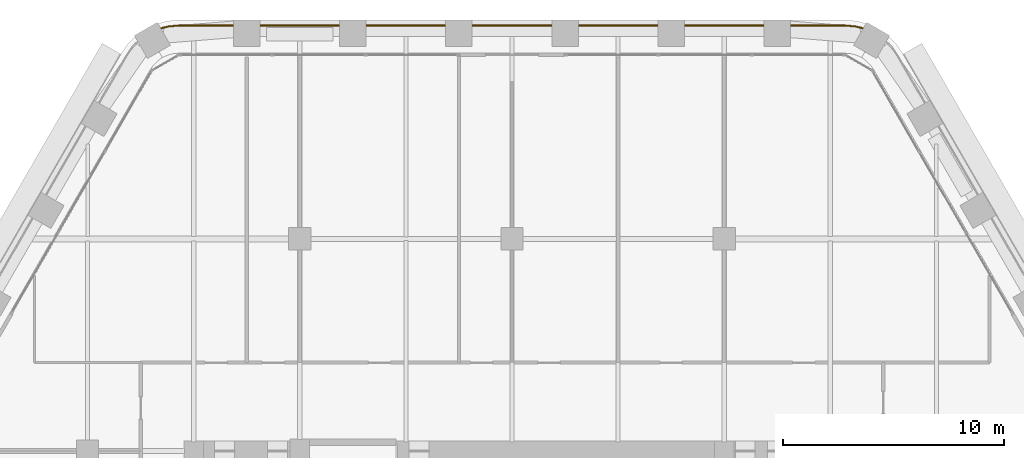
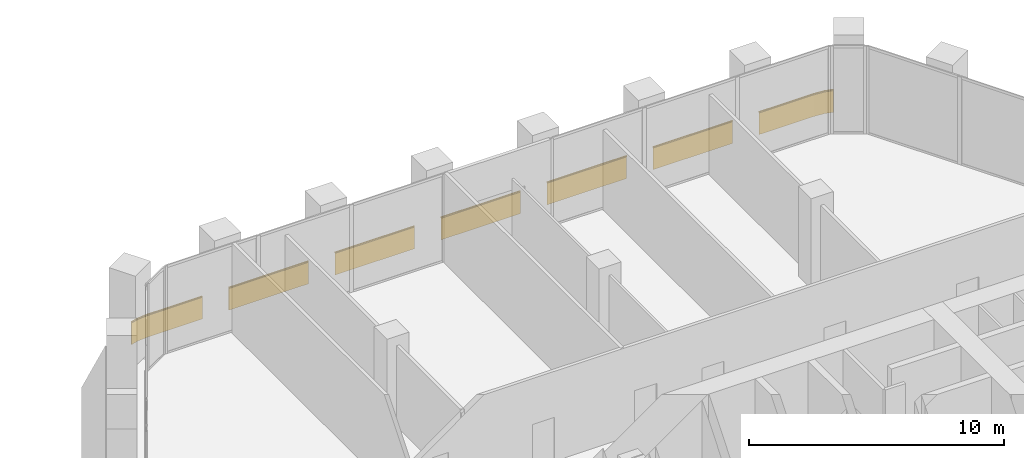
# One storey, part 26 of 26: 1 railing.
"""IFC4 building model written with IfcOpenShell, lengths in metres."""

from ifc_helpers import new_model, si_unit, direction, frame, frame_2d, origin, origin_2d, place, context, subcontext, project, spatial, rectangle, extrude, material, type_object, element, save


model = new_model("IFC4")

# Units and contexts
model_context = context("Model", 3, precision=1e-05, world=origin(), true_north=direction((0.0, 1.0)))
body_context = subcontext(model_context, "Body", "Model", "MODEL_VIEW")
ifc_project = project(units=[si_unit("LENGTHUNIT", "METRE"), si_unit("AREAUNIT", "SQUARE_METRE"), si_unit("VOLUMEUNIT", "CUBIC_METRE"), si_unit("PLANEANGLEUNIT", "RADIAN"), si_unit("MASSUNIT", "GRAM", prefix="KILO")], contexts=[model_context])

# Site, building, storey
site_placement = place(None, origin())
site = spatial("IfcSite", under=ifc_project, at=site_placement, CompositionType="ELEMENT")
building_placement = place(site_placement, origin())
building = spatial("IfcBuilding", under=site, at=building_placement, Name="Kolab Exchange Tower", CompositionType="ELEMENT")
storey_placement = place(building_placement, frame((0.0, 0.0, 104.89990234375)))
storey = spatial("IfcBuildingStorey", under=building, at=storey_placement, Name="L20", CompositionType="ELEMENT", Elevation=104.89990234375)

# Railing
ifc_material = material(Name="Steel S235", Category="steel")
railing_type = type_object("IfcRailingType", Name="GUARD 1100 GLASS BALUSTRADE AND STEEL TOP RAIL", PredefinedType="GUARDRAIL", material=ifc_material)
railing_placement = place(storey_placement, frame((15.89208984375, 28.7138671875, 0.0)))
element("IfcRailing", 1, at=railing_placement, inside=storey, type_object=railing_type, Name="Guard", PredefinedType="GUARDRAIL", context=body_context, shape_type="SweptSolid", body=[
    extrude(rectangle(XDim=0.05, YDim=0.05, at=origin_2d()), frame((0.0, 0.0, 1.0751953125), z_axis=(-0.966008746817, 0.258509382951, 0.0), x_axis=(-0.258509382951, -0.966008746817, 0.0)), (0.0, 0.0, 1.0), 0.35888671875),
    extrude(rectangle(XDim=0.012, YDim=1.05009765625, at=frame_2d((0.0, 0.525146484375))), frame((0.0, 0.0, 0.0), z_axis=(-0.966008746817, 0.258509382951, 0.0), x_axis=(-0.258509382951, -0.966008746817, 0.0)), (0.0, 0.0, 1.0), 0.35888671875),
    extrude(rectangle(XDim=0.05, YDim=0.05, at=origin_2d()), frame((-0.3466796875, 0.0927734375, 1.0751953125), z_axis=(-0.996200348447, 0.087091134757, 0.0), x_axis=(-0.087091134757, -0.996200348447, 0.0)), (0.0, 0.0, 1.0), 0.479248046875),
    extrude(rectangle(XDim=0.012, YDim=1.05009765625, at=frame_2d((0.0, 0.525146484375))), frame((-0.3466796875, 0.0927734375, 0.0), z_axis=(-0.996200348447, 0.087091134757, 0.0), x_axis=(-0.087091134757, -0.996200348447, 0.0)), (0.0, 0.0, 1.0), 0.479248046875),
    extrude(rectangle(XDim=0.05, YDim=0.05, at=origin_2d()), frame((-0.82421875, 0.134521484375, 1.0751953125), z_axis=(-1.0, 0.0, 0.0), x_axis=(0.0, -1.0, 0.0)), (0.0, 0.0, 1.0), 2.4677734375),
    extrude(rectangle(XDim=0.012, YDim=1.05009765625, at=frame_2d((0.0, 0.525146484375))), frame((-0.82421875, 0.134521484375, 0.0), z_axis=(-1.0, 0.0, 0.0), x_axis=(0.0, -1.0, 0.0)), (0.0, 0.0, 1.0), 2.4677734375),
    extrude(rectangle(XDim=0.05, YDim=0.05, at=origin_2d()), frame((-4.4921875, 0.134521484375, 1.0751953125), z_axis=(-1.0, 0.0, 0.0), x_axis=(0.0, -1.0, 0.0)), (0.0, 0.0, 1.0), 3.599853515625),
    extrude(rectangle(XDim=0.012, YDim=1.05009765625, at=frame_2d((0.0, 0.525146484375))), frame((-4.4921875, 0.134521484375, 0.0), z_axis=(-1.0, 0.0, 0.0), x_axis=(0.0, -1.0, 0.0)), (0.0, 0.0, 1.0), 3.599853515625),
    extrude(rectangle(XDim=0.05, YDim=0.05, at=origin_2d()), frame((-9.2919921875, 0.134521484375, 1.0751953125), z_axis=(-1.0, 0.0, 0.0), x_axis=(0.0, -1.0, 0.0)), (0.0, 0.0, 1.0), 3.60009765625),
    extrude(rectangle(XDim=0.012, YDim=1.05009765625, at=frame_2d((0.0, 0.525146484375))), frame((-9.2919921875, 0.134521484375, 0.0), z_axis=(-1.0, 0.0, 0.0), x_axis=(0.0, -1.0, 0.0)), (0.0, 0.0, 1.0), 3.60009765625),
    extrude(rectangle(XDim=0.05, YDim=0.05, at=origin_2d()), frame((-14.092041015625, 0.134521484375, 1.0751953125), z_axis=(-1.0, 0.0, 0.0), x_axis=(0.0, -1.0, 0.0)), (0.0, 0.0, 1.0), 3.60009765625),
    extrude(rectangle(XDim=0.012, YDim=1.05009765625, at=frame_2d((0.0, 0.525146484375))), frame((-14.092041015625, 0.134521484375, 0.0), z_axis=(-1.0, 0.0, 0.0), x_axis=(0.0, -1.0, 0.0)), (0.0, 0.0, 1.0), 3.60009765625),
    extrude(rectangle(XDim=0.05, YDim=0.05, at=origin_2d()), frame((-18.89208984375, 0.134521484375, 1.0751953125), z_axis=(-1.0, 0.0, 0.0), x_axis=(0.0, -1.0, 0.0)), (0.0, 0.0, 1.0), 3.60009765625),
    extrude(rectangle(XDim=0.012, YDim=1.05009765625, at=frame_2d((0.0, 0.525146484375))), frame((-18.89208984375, 0.134521484375, 0.0), z_axis=(-1.0, 0.0, 0.0), x_axis=(0.0, -1.0, 0.0)), (0.0, 0.0, 1.0), 3.60009765625),
    extrude(rectangle(XDim=0.05, YDim=0.05, at=origin_2d()), frame((-23.692138671875, 0.134521484375, 1.0751953125), z_axis=(-1.0, 0.0, 0.0), x_axis=(0.0, -1.0, 0.0)), (0.0, 0.0, 1.0), 3.599853515625),
    extrude(rectangle(XDim=0.012, YDim=1.05009765625, at=frame_2d((0.0, 0.525146484375))), frame((-23.692138671875, 0.134521484375, 0.0), z_axis=(-1.0, 0.0, 0.0), x_axis=(0.0, -1.0, 0.0)), (0.0, 0.0, 1.0), 3.599853515625),
    extrude(rectangle(XDim=0.05, YDim=0.05, at=origin_2d()), frame((-28.4921875, 0.134521484375, 1.0751953125), z_axis=(-1.0, 0.0, 0.0), x_axis=(0.0, -1.0, 0.0)), (0.0, 0.0, 1.0), 2.4677734375),
    extrude(rectangle(XDim=0.012, YDim=1.05009765625, at=frame_2d((0.0, 0.525146484375))), frame((-28.4921875, 0.134521484375, 0.0), z_axis=(-1.0, 0.0, 0.0), x_axis=(0.0, -1.0, 0.0)), (0.0, 0.0, 1.0), 2.4677734375),
    extrude(rectangle(XDim=0.05, YDim=0.05, at=origin_2d()), frame((-30.9599609375, 0.134521484375, 1.0751953125), z_axis=(-0.996200348447, -0.087091134757, 0.0), x_axis=(0.087091134757, -0.996200348447, 0.0)), (0.0, 0.0, 1.0), 0.479248046875),
    extrude(rectangle(XDim=0.012, YDim=1.05009765625, at=frame_2d((0.0, 0.525146484375))), frame((-30.9599609375, 0.134521484375, 0.0), z_axis=(-0.996200348447, -0.087091134757, 0.0), x_axis=(0.087091134757, -0.996200348447, 0.0)), (0.0, 0.0, 1.0), 0.479248046875),
    extrude(rectangle(XDim=0.05, YDim=0.05, at=origin_2d()), frame((-31.4375, 0.0927734375, 1.0751953125), z_axis=(-0.966008746817, -0.258509382951, 0.0), x_axis=(0.258509382951, -0.966008746817, 0.0)), (0.0, 0.0, 1.0), 0.35888671875),
    extrude(rectangle(XDim=0.012, YDim=1.05009765625, at=frame_2d((0.0, 0.525146484375))), frame((-31.4375, 0.0927734375, 0.0), z_axis=(-0.966008746817, -0.258509382951, 0.0), x_axis=(0.258509382951, -0.966008746817, 0.0)), (0.0, 0.0, 1.0), 0.35888671875),
])

save(model, "model.ifc")
